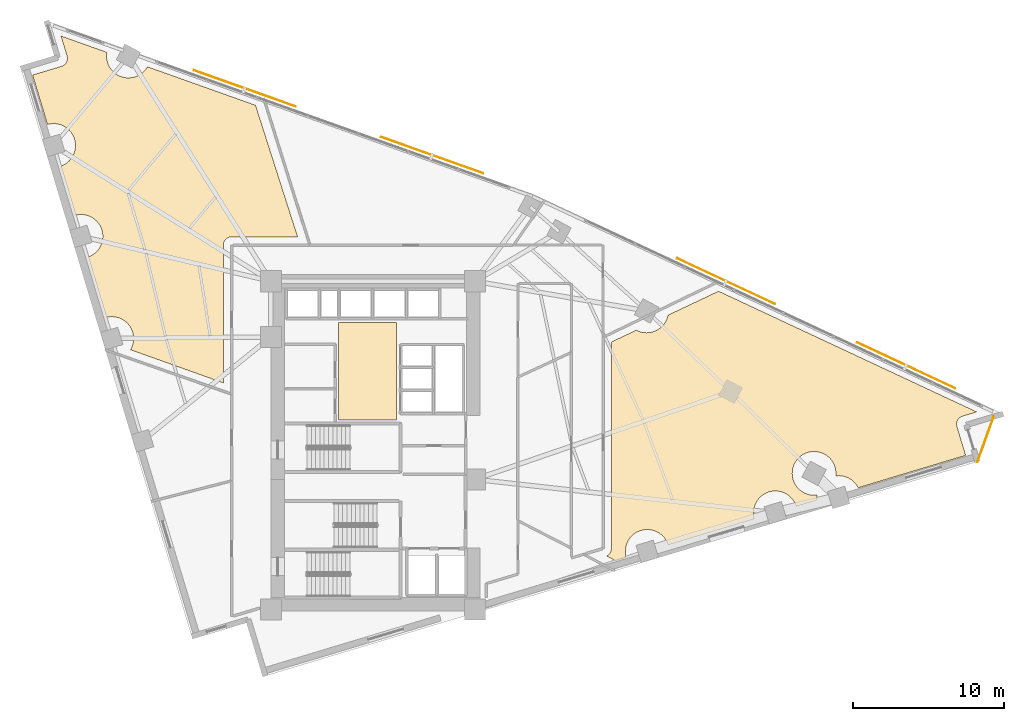
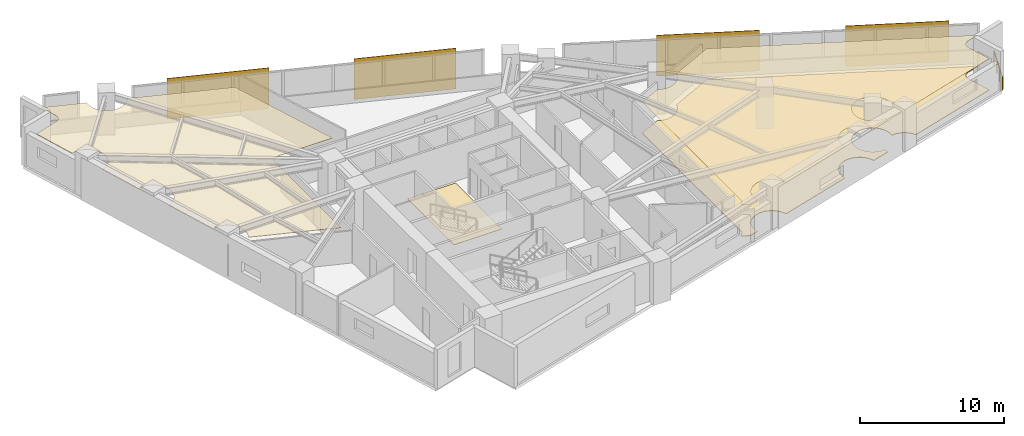
# One storey, part 16 of 16: 4 coverings, 4 shading devices, 1 railing.
"""IFC4 building model written with IfcOpenShell, lengths in metres."""

import ifcopenshell
import ifcopenshell.guid

model = None  # the IFC model being written
_history = None  # IfcOwnerHistory: only IFC2X3 demands one
_inside = {}  # id of a spatial element -> (the spatial element, [elements in it])
_under = {}  # id of a project, library or spatial element -> (it, [spatial elements below it])
_declared = {}  # id of a project -> (the project, [libraries it declares])
_typed = {}  # id of a type object -> (the type object, [elements of that type])
_made_of = {}  # id of a material, layer set ... -> (it, [elements and type objects made of it])


def new_model(schema):
    """Start an empty IFC model of exactly this schema.

    Asked for "IFC4X3", IfcOpenShell would pick the latest addendum, in which some entities
    have other attributes; the version numbers below select the first issue.
    IFC2X3 requires an IfcOwnerHistory on every rooted entity: one is made here for all.
    """
    global model, _history
    if schema == "IFC4X3":
        model = ifcopenshell.file(schema_version=(4, 3, 0, 0))
    else:
        model = ifcopenshell.file(schema=schema)
    _inside.clear()
    _under.clear()
    _declared.clear()
    _typed.clear()
    _made_of.clear()
    _history = None
    if model.schema == "IFC2X3":
        org = make("IfcOrganization", Name="unknown")
        user = make(
            "IfcPersonAndOrganization",
            ThePerson=make("IfcPerson", FamilyName="unknown"),
            TheOrganization=org,
        )
        app = make(
            "IfcApplication",
            ApplicationDeveloper=org,
            Version="unknown",
            ApplicationFullName="unknown",
            ApplicationIdentifier="unknown",
        )
        _history = make(
            "IfcOwnerHistory",
            OwningUser=user,
            OwningApplication=app,
            ChangeAction="ADDED",
            CreationDate=0,
        )
    return model


def make(cls, **values):
    """One entity of the class cls with the attributes given. An attribute that is None is left unset."""
    return model.create_entity(
        cls, **{name: value for name, value in values.items() if value is not None}
    )


def rooted(cls, **values):
    """An entity with a GlobalId (a new one), such as an element, a storey or a relation."""
    return make(cls, GlobalId=ifcopenshell.guid.new(), OwnerHistory=_history, **values)


def si_unit(unit_type, name, prefix=None):
    """IfcSIUnit, for example si_unit("LENGTHUNIT", "METRE", prefix="MILLI")."""
    return make("IfcSIUnit", UnitType=unit_type, Prefix=prefix, Name=name)


def assignment(units):
    """IfcUnitAssignment: the units of a project."""
    return None if units is None else make("IfcUnitAssignment", Units=units)


def point(xyz):
    """IfcCartesianPoint."""
    return None if xyz is None else make("IfcCartesianPoint", Coordinates=xyz)


def direction(xyz):
    """IfcDirection."""
    return None if xyz is None else make("IfcDirection", DirectionRatios=xyz)


def frame(location, z_axis=None, x_axis=None):
    """IfcAxis2Placement3D, a coordinate frame: its origin and axes. An axis left out is left unset."""
    return make(
        "IfcAxis2Placement3D",
        Location=point(location),
        Axis=direction(z_axis),
        RefDirection=direction(x_axis),
    )


def frame_2d(location, x_axis=None):
    """IfcAxis2Placement2D, a coordinate frame in the plane: its origin and x axis."""
    return make(
        "IfcAxis2Placement2D", Location=point(location), RefDirection=direction(x_axis)
    )


def origin():
    """The frame at (0, 0, 0) with its axes left unset."""
    return frame((0.0, 0.0, 0.0))


def origin_2d():
    """The frame at (0, 0) in the plane with its x axis left unset."""
    return frame_2d((0.0, 0.0))


def place(relative_to, where):
    """IfcLocalPlacement: puts the frame where relative to a parent placement (None: the world)."""
    return make(
        "IfcLocalPlacement", PlacementRelTo=relative_to, RelativePlacement=where
    )


def context(
    kind, dimensions, precision=None, world=None, true_north=None, identifier=None
):
    """IfcGeometricRepresentationContext, for example the 3D "Model" context."""
    return make(
        "IfcGeometricRepresentationContext",
        ContextIdentifier=identifier,
        ContextType=kind,
        CoordinateSpaceDimension=dimensions,
        Precision=precision,
        WorldCoordinateSystem=world,
        TrueNorth=true_north,
    )


def subcontext(parent, identifier, kind, view, scale=None):
    """IfcGeometricRepresentationSubContext, for example "Body" below "Model"."""
    return make(
        "IfcGeometricRepresentationSubContext",
        ContextIdentifier=identifier,
        ContextType=kind,
        ParentContext=parent,
        TargetScale=scale,
        TargetView=view,
    )


def project(units=None, contexts=None):
    """IfcProject with its units and contexts."""
    return rooted(
        "IfcProject",
        Name="project",
        RepresentationContexts=contexts,
        UnitsInContext=assignment(units),
    )


def spatial(cls, under=None, at=None, **own):
    """A site, building, storey or space (cls), placed at a placement, below another one or the project."""
    s = rooted(cls, ObjectPlacement=at, **own)
    if under is not None:
        _under.setdefault(under.id(), (under, []))[1].append(s)
    return s


def polyline(points):
    """IfcPolyline through the points."""
    return make("IfcPolyline", Points=[point(p) for p in points])


def profile(cls, at=None, kind="AREA", **sizes):
    """A parametric profile (cls). Its sizes go by their IFC names, for example OverallWidth=200.0."""
    return make(cls, ProfileType=kind, Position=at, **sizes)


def rectangle(**sizes):
    """IfcRectangleProfileDef."""
    return profile("IfcRectangleProfileDef", **sizes)


def circle(**sizes):
    """IfcCircleProfileDef."""
    return profile("IfcCircleProfileDef", **sizes)


def outline(outer, holes=None, kind="AREA"):
    """IfcArbitraryClosedProfileDef: a profile drawn as a closed curve; with holes, ...WithVoids."""
    if holes is None:
        return make("IfcArbitraryClosedProfileDef", ProfileType=kind, OuterCurve=outer)
    return make(
        "IfcArbitraryProfileDefWithVoids",
        ProfileType=kind,
        OuterCurve=outer,
        InnerCurves=holes,
    )


def extrude(swept, where, along, depth):
    """IfcExtrudedAreaSolid: the profile swept, set in the frame where, extruded along a direction by depth."""
    return make(
        "IfcExtrudedAreaSolid",
        SweptArea=swept,
        Position=where,
        ExtrudedDirection=direction(along),
        Depth=depth,
    )


def shape(context_of_items, identifier, shape_type, items):
    """IfcShapeRepresentation: the items that make up one representation, for example the "Body"."""
    return make(
        "IfcShapeRepresentation",
        ContextOfItems=context_of_items,
        RepresentationIdentifier=identifier,
        RepresentationType=shape_type,
        Items=items,
    )


def material(Name=None, Category=None):
    """IfcMaterial."""
    return make("IfcMaterial", Name=Name, Category=Category)


def layer(
    of_material, thickness, ventilated=None, Name=None, Category=None, Priority=None
):
    """IfcMaterialLayer: one layer of a wall or slab, of a material (None: an air gap)."""
    return make(
        "IfcMaterialLayer",
        Material=of_material,
        LayerThickness=thickness,
        IsVentilated=ventilated,
        Name=Name,
        Category=Category,
        Priority=Priority,
    )


def layer_set(layers, Name=None):
    """IfcMaterialLayerSet."""
    return make("IfcMaterialLayerSet", MaterialLayers=layers, LayerSetName=Name)


def made_of(thing, what):
    """Note that an element or type object is made of a material, layer set ...; save() writes the relation."""
    if what is not None:
        _made_of.setdefault(what.id(), (what, []))[1].append(thing)
    return thing


def type_object(cls, material=None, **own):
    """A type object (cls), such as IfcWallType, which elements share."""
    return made_of(rooted(cls, **own), material)


def element(
    cls,
    number,
    at=None,
    inside=None,
    cuts=None,
    type_object=None,
    material=None,
    context=None,
    identifier="Body",
    shape_type=None,
    held_by="IfcProductDefinitionShape",
    body=None,
    shapes=None,
    **own,
):
    """One element of the class cls, such as IfcWall. Its Tag is "e" and its number.

    at: its placement. inside: the storey or other place that contains it. cuts: it is an
    opening in that element (IfcRelVoidsElement). A single representation is given by context,
    identifier, shape_type and body (its items); several are given by shapes. held_by: the class
    of the entity that holds the representations. save() writes the other relations.
    """
    e = rooted(cls, Tag="e%d" % number, ObjectPlacement=at, **own)
    if body is not None:
        shapes = [shape(context, identifier, shape_type, body)]
    if shapes is not None:
        e.Representation = make(held_by, Representations=shapes)
    if inside is not None:
        _inside.setdefault(inside.id(), (inside, []))[1].append(e)
    if cuts is not None:
        rooted(
            "IfcRelVoidsElement", RelatingBuildingElement=cuts, RelatedOpeningElement=e
        )
    if type_object is not None:
        _typed.setdefault(type_object.id(), (type_object, []))[1].append(e)
    return made_of(e, material)


def aggregate(whole, parts):
    """IfcRelAggregates: a whole, such as a stair, and the parts it consists of."""
    return rooted("IfcRelAggregates", RelatingObject=whole, RelatedObjects=parts)


def save(model, path):
    """Write the relations noted so far, then the file.

    IfcRelAggregates (storeys below a building ...), IfcRelContainedInSpatialStructure (elements
    in a storey), IfcRelDefinesByType, IfcRelAssociatesMaterial and IfcRelDeclares: one each for
    every whole, place, type object, material and project.
    """
    for whole, parts in _under.values():
        aggregate(whole, parts)
    for where, things in _inside.values():
        rooted(
            "IfcRelContainedInSpatialStructure",
            RelatedElements=things,
            RelatingStructure=where,
        )
    for kind, things in _typed.values():
        rooted("IfcRelDefinesByType", RelatedObjects=things, RelatingType=kind)
    for what, things in _made_of.values():
        rooted("IfcRelAssociatesMaterial", RelatedObjects=things, RelatingMaterial=what)
    for by, libraries in _declared.values():
        rooted("IfcRelDeclares", RelatingContext=by, RelatedDefinitions=libraries)
    model.write(path)


model = new_model("IFC4")

# Units and contexts
model_context = context("Model", 3, precision=1e-05, world=origin(), true_north=direction((0.0, 1.0)))
body_context = subcontext(model_context, "Body", "Model", "MODEL_VIEW")
ifc_project = project(units=[si_unit("LENGTHUNIT", "METRE"), si_unit("AREAUNIT", "SQUARE_METRE"), si_unit("VOLUMEUNIT", "CUBIC_METRE"), si_unit("PLANEANGLEUNIT", "RADIAN"), si_unit("MASSUNIT", "GRAM", prefix="KILO")], contexts=[model_context])

# Site, building, storey
site_placement = place(None, origin())
site = spatial("IfcSite", under=ifc_project, at=site_placement, CompositionType="ELEMENT")
building_placement = place(site_placement, origin())
building = spatial("IfcBuilding", under=site, at=building_placement, Name="Narakoshi Arena Tower", CompositionType="ELEMENT")
storey_placement = place(building_placement, frame((0.0, 0.0, 146.699951171875)))
storey = spatial("IfcBuildingStorey", under=building, at=storey_placement, Name="L39", CompositionType="ELEMENT", Elevation=146.699951171875)

# Coverings
ifc_material_1 = material(Name="Acoustic mineral-fibre ceiling tile")
ifc_layer_1 = layer(ifc_material_1, 0.02001953125)
ifc_layer_set_1 = layer_set([ifc_layer_1], Name="Acoustic mineral-fibre ceiling tile")
covering_type_1 = type_object("IfcCoveringType", Name="COV-CLG-AC20", PredefinedType="CEILING", material=ifc_layer_set_1)
covering_1_placement = place(storey_placement, frame((0.0, 0.0, 2.670166015625)))
element("IfcCovering", 1, at=covering_1_placement, inside=storey, type_object=covering_type_1, Name="L39 Suspended Acoustic Ceiling 1", PredefinedType="CEILING", context=body_context, shape_type="SweptSolid", body=[
    extrude(outline(polyline([(94.308349609375, 38.272216796875), (94.354736328125, 38.2998046875), (94.398193359375, 38.331787109375), (94.4384765625, 38.3681640625), (94.474609375, 38.408203125), (94.507080078125, 38.45166015625), (94.534912109375, 38.497802734375), (94.55810546875, 38.546875), (94.576171875, 38.59765625), (94.58935546875, 38.650146484375), (94.597412109375, 38.70361328125), (94.60009765625, 38.757568359375), (94.60009765625, 52.463623046875), (96.259765625, 53.25), (96.260986328125, 53.249267578125), (96.389404296875, 53.1884765625), (96.5234375, 53.140380859375), (96.66162109375, 53.10595703125), (96.80224609375, 53.085205078125), (96.9443359375, 53.078125), (97.08642578125, 53.085205078125), (97.227294921875, 53.10595703125), (97.365234375, 53.140380859375), (97.499267578125, 53.1884765625), (97.6279296875, 53.249267578125), (97.75, 53.322509765625), (97.8642578125, 53.4072265625), (97.9697265625, 53.502685546875), (98.065185546875, 53.608154296875), (98.14990234375, 53.722412109375), (98.22314453125, 53.844482421875), (98.283935546875, 53.97314453125), (98.33203125, 54.107177734375), (98.366455078125, 54.2451171875), (98.366943359375, 54.248291015625), (101.718994140625, 55.83642578125), (118.8564453125, 47.823974609375), (117.9150390625, 47.540771484375), (117.8642578125, 47.522705078125), (117.8154296875, 47.499755859375), (117.76904296875, 47.47216796875), (117.7255859375, 47.43994140625), (117.685546875, 47.40380859375), (117.649169921875, 47.364013671875), (117.616943359375, 47.32080078125), (117.589111328125, 47.2744140625), (117.56591796875, 47.2255859375), (117.547607421875, 47.1748046875), (117.534423828125, 47.12255859375), (117.5263671875, 47.069091796875), (117.523681640625, 47.015380859375), (117.526123046875, 46.96142578125), (117.533935546875, 46.907958984375), (117.546875, 46.855712890625), (118.1240234375, 44.93798828125), (110.98681640625, 42.789794921875), (110.971435546875, 42.82275390625), (110.898193359375, 42.94482421875), (110.8134765625, 43.05908203125), (110.718017578125, 43.16455078125), (110.612548828125, 43.260009765625), (110.498291015625, 43.3447265625), (110.376220703125, 43.41796875), (110.24755859375, 43.478759765625), (110.113525390625, 43.52685546875), (109.9755859375, 43.561279296875), (109.834716796875, 43.582275390625), (109.692626953125, 43.589111328125), (109.550537109375, 43.582275390625), (109.5, 43.57470703125), (109.504150390625, 43.603515625), (109.51123046875, 43.74560546875), (109.504150390625, 43.8876953125), (109.4833984375, 44.0283203125), (109.44873046875, 44.16650390625), (109.40087890625, 44.30029296875), (109.340087890625, 44.428955078125), (109.266845703125, 44.551025390625), (109.18212890625, 44.665283203125), (109.08642578125, 44.770751953125), (108.981201171875, 44.866455078125), (108.86669921875, 44.951171875), (108.74462890625, 45.0244140625), (108.6162109375, 45.085205078125), (108.482177734375, 45.133056640625), (108.343994140625, 45.16748046875), (108.203369140625, 45.1884765625), (108.061279296875, 45.195556640625), (107.919189453125, 45.1884765625), (107.7783203125, 45.16748046875), (107.640380859375, 45.133056640625), (107.50634765625, 45.085205078125), (107.377685546875, 45.0244140625), (107.255615234375, 44.951171875), (107.141357421875, 44.866455078125), (107.035888671875, 44.770751953125), (106.940185546875, 44.665283203125), (106.855712890625, 44.551025390625), (106.782470703125, 44.428955078125), (106.7216796875, 44.30029296875), (106.673583984375, 44.16650390625), (106.63916015625, 44.0283203125), (106.6181640625, 43.8876953125), (106.611083984375, 43.74560546875), (106.6181640625, 43.603515625), (106.63916015625, 43.462646484375), (106.673583984375, 43.32470703125), (106.7216796875, 43.190673828125), (106.782470703125, 43.06201171875), (106.855712890625, 42.93994140625), (106.940185546875, 42.82568359375), (107.035888671875, 42.72021484375), (107.141357421875, 42.62451171875), (107.255615234375, 42.539794921875), (107.377685546875, 42.466796875), (107.50634765625, 42.406005859375), (107.640380859375, 42.35791015625), (107.7783203125, 42.323486328125), (107.919189453125, 42.302490234375), (108.061279296875, 42.29541015625), (108.203369140625, 42.302490234375), (108.25390625, 42.31005859375), (108.24951171875, 42.28125), (108.24267578125, 42.13916015625), (108.24951171875, 41.9970703125), (108.25390625, 41.96728515625), (106.87890625, 41.553466796875), (106.833251953125, 41.680908203125), (106.7724609375, 41.8095703125), (106.69921875, 41.931640625), (106.614501953125, 42.0458984375), (106.51904296875, 42.1513671875), (106.41357421875, 42.2470703125), (106.29931640625, 42.331787109375), (106.17724609375, 42.40478515625), (106.048583984375, 42.4658203125), (105.91455078125, 42.513671875), (105.776611328125, 42.548095703125), (105.6357421875, 42.569091796875), (105.49365234375, 42.576171875), (105.3515625, 42.569091796875), (105.210693359375, 42.548095703125), (105.07275390625, 42.513671875), (104.938720703125, 42.4658203125), (104.810302734375, 42.40478515625), (104.68798828125, 42.331787109375), (104.57373046875, 42.2470703125), (104.468505859375, 42.1513671875), (104.372802734375, 42.0458984375), (104.2880859375, 41.931640625), (104.21484375, 41.8095703125), (104.154052734375, 41.680908203125), (104.106201171875, 41.547119140625), (104.071533203125, 41.408935546875), (104.05078125, 41.268310546875), (104.043701171875, 41.126220703125), (104.05078125, 40.98388671875), (104.071533203125, 40.84326171875), (104.102783203125, 40.718017578125), (98.369873046875, 38.992431640625), (98.32421875, 39.1201171875), (98.26318359375, 39.248779296875), (98.190185546875, 39.370849609375), (98.10546875, 39.485107421875), (98.009765625, 39.590576171875), (97.904296875, 39.68603515625), (97.7900390625, 39.770751953125), (97.66796875, 39.843994140625), (97.539306640625, 39.90478515625), (97.405517578125, 39.952880859375), (97.267333984375, 39.9873046875), (97.126708984375, 40.00830078125), (96.984619140625, 40.01513671875), (96.84228515625, 40.00830078125), (96.70166015625, 39.9873046875), (96.563720703125, 39.952880859375), (96.4296875, 39.90478515625), (96.301025390625, 39.843994140625), (96.178955078125, 39.770751953125), (96.064697265625, 39.68603515625), (95.959228515625, 39.590576171875), (95.863525390625, 39.485107421875), (95.77880859375, 39.370849609375), (95.705810546875, 39.248779296875), (95.64501953125, 39.1201171875), (95.596923828125, 38.986083984375), (95.5625, 38.84814453125), (95.54150390625, 38.707275390625), (95.534423828125, 38.565185546875), (95.54150390625, 38.423095703125), (95.5625, 38.2822265625), (95.59375, 38.156982421875), (94.89013671875, 37.9453125), (94.28076171875, 38.259033203125), (94.308349609375, 38.272216796875)])), origin(), (0.0, 0.0, 1.0), 0.019775390625),
])
ifc_material_2 = material(Name="Slatted oak acoustic timber baffle", Category="wood")
ifc_layer_2 = layer(ifc_material_2, 0.034912109375)
ifc_layer_set_2 = layer_set([ifc_layer_2], Name="Slatted oak acoustic timber baffle")
covering_type_2 = type_object("IfcCoveringType", Name="COV-CLG-WD35", PredefinedType="CEILING", material=ifc_layer_set_2)
covering_2_placement = place(storey_placement, frame((0.0, 0.0, 2.655029296875)))
element("IfcCovering", 2, at=covering_2_placement, inside=storey, type_object=covering_type_2, Name="L39 Suspended Acoustic Ceiling 2", PredefinedType="CEILING", context=body_context, shape_type="SweptSolid", body=[
    extrude(outline(polyline([(58.1015625, 70.76611328125), (58.15234375, 70.7841796875), (58.201171875, 70.80712890625), (58.24755859375, 70.834716796875), (58.291015625, 70.86669921875), (58.3310546875, 70.903076171875), (58.367431640625, 70.94287109375), (58.399658203125, 70.986083984375), (58.427490234375, 71.032470703125), (58.45068359375, 71.0810546875), (58.468994140625, 71.1318359375), (58.482177734375, 71.18408203125), (58.490234375, 71.237548828125), (58.492919921875, 71.29150390625), (58.490478515625, 71.345458984375), (58.482666015625, 71.398681640625), (58.4697265625, 71.451171875), (58.070068359375, 72.77880859375), (61.1171875, 71.693603515625), (61.102294921875, 71.59228515625), (61.09521484375, 71.4501953125), (61.102294921875, 71.30810546875), (61.123046875, 71.16748046875), (61.15771484375, 71.029296875), (61.20556640625, 70.8955078125), (61.266357421875, 70.766845703125), (61.339599609375, 70.644775390625), (61.42431640625, 70.530517578125), (61.52001953125, 70.425048828125), (61.625244140625, 70.329345703125), (61.739501953125, 70.24462890625), (61.86181640625, 70.17138671875), (61.990234375, 70.110595703125), (62.124267578125, 70.062744140625), (62.26220703125, 70.0283203125), (62.403076171875, 70.00732421875), (62.545166015625, 70.000244140625), (62.687255859375, 70.00732421875), (62.828125, 70.0283203125), (62.966064453125, 70.062744140625), (63.10009765625, 70.110595703125), (63.228759765625, 70.17138671875), (63.350830078125, 70.24462890625), (63.465087890625, 70.329345703125), (63.570556640625, 70.425048828125), (63.666015625, 70.530517578125), (63.750732421875, 70.644775390625), (63.8056640625, 70.736083984375), (70.98193359375, 68.18017578125), (73.776611328125, 59.449951171875), (69.39990234375, 59.449951171875), (69.34619140625, 59.447509765625), (69.292724609375, 59.439453125), (69.240234375, 59.42626953125), (69.189453125, 59.408203125), (69.140625, 59.385009765625), (69.094482421875, 59.357421875), (69.051025390625, 59.3251953125), (69.010986328125, 59.288818359375), (68.974853515625, 59.248779296875), (68.942626953125, 59.20556640625), (68.914794921875, 59.1591796875), (68.891845703125, 59.110595703125), (68.873779296875, 59.059814453125), (68.860595703125, 59.00732421875), (68.8525390625, 58.953857421875), (68.85009765625, 58.89990234375), (68.85009765625, 49.74951171875), (62.6806640625, 51.952392578125), (62.716796875, 52.012939453125), (62.777587890625, 52.1416015625), (62.82568359375, 52.275390625), (62.860107421875, 52.41357421875), (62.881103515625, 52.55419921875), (62.887939453125, 52.6962890625), (62.881103515625, 52.83837890625), (62.860107421875, 52.979248046875), (62.82568359375, 53.1171875), (62.777587890625, 53.251220703125), (62.716796875, 53.3798828125), (62.6435546875, 53.501953125), (62.558837890625, 53.6162109375), (62.46337890625, 53.7216796875), (62.35791015625, 53.8173828125), (62.24365234375, 53.902099609375), (62.12158203125, 53.97509765625), (61.992919921875, 54.035888671875), (61.85888671875, 54.083984375), (61.720947265625, 54.118408203125), (61.580078125, 54.139404296875), (61.43798828125, 54.146484375), (61.2958984375, 54.139404296875), (61.155029296875, 54.118408203125), (61.02978515625, 54.087158203125), (59.823486328125, 58.095947265625), (59.950927734375, 58.1416015625), (60.07958984375, 58.202392578125), (60.20166015625, 58.275634765625), (60.31591796875, 58.3603515625), (60.42138671875, 58.455810546875), (60.516845703125, 58.561279296875), (60.6015625, 58.675537109375), (60.6748046875, 58.797607421875), (60.735595703125, 58.92626953125), (60.78369140625, 59.060302734375), (60.818115234375, 59.1982421875), (60.839111328125, 59.339111328125), (60.845947265625, 59.481201171875), (60.839111328125, 59.623291015625), (60.818115234375, 59.76416015625), (60.78369140625, 59.902099609375), (60.735595703125, 60.0361328125), (60.6748046875, 60.164794921875), (60.6015625, 60.286865234375), (60.516845703125, 60.401123046875), (60.42138671875, 60.506591796875), (60.31591796875, 60.60205078125), (60.20166015625, 60.686767578125), (60.07958984375, 60.760009765625), (59.950927734375, 60.82080078125), (59.81689453125, 60.868896484375), (59.678955078125, 60.9033203125), (59.5380859375, 60.92431640625), (59.39599609375, 60.93115234375), (59.25390625, 60.92431640625), (59.113037109375, 60.9033203125), (58.98779296875, 60.8720703125), (58.00830078125, 64.126953125), (58.1357421875, 64.172607421875), (58.264404296875, 64.2333984375), (58.386474609375, 64.306396484375), (58.500732421875, 64.39111328125), (58.606201171875, 64.48681640625), (58.701904296875, 64.59228515625), (58.78662109375, 64.70654296875), (58.859619140625, 64.82861328125), (58.92041015625, 64.957275390625), (58.968505859375, 65.09130859375), (59.0029296875, 65.229248046875), (59.02392578125, 65.3701171875), (59.031005859375, 65.51220703125), (59.02392578125, 65.654296875), (59.0029296875, 65.794921875), (58.968505859375, 65.93310546875), (58.92041015625, 66.06689453125), (58.859619140625, 66.195556640625), (58.78662109375, 66.317626953125), (58.701904296875, 66.431884765625), (58.606201171875, 66.537353515625), (58.500732421875, 66.633056640625), (58.386474609375, 66.7177734375), (58.264404296875, 66.791015625), (58.1357421875, 66.851806640625), (58.001708984375, 66.899658203125), (57.86376953125, 66.93408203125), (57.722900390625, 66.955078125), (57.580810546875, 66.962158203125), (57.438720703125, 66.955078125), (57.298095703125, 66.93408203125), (57.1728515625, 66.90283203125), (56.183837890625, 70.18896484375), (58.1015625, 70.76611328125)])), origin(), (0.0, 0.0, 1.0), 0.034912109375),
])
ifc_material_3 = material(Name="Raised steel access floor panel", Category="steel")
ifc_layer_3 = layer(ifc_material_3, 0.044921875)
ifc_layer_set_3 = layer_set([ifc_layer_3], Name="Raised steel access floor panel")
covering_type_3 = type_object("IfcCoveringType", Name="COV-FLR-RF45", PredefinedType="FLOORING", material=ifc_layer_set_3)
covering_3_placement = place(storey_placement, origin())
element("IfcCovering", 3, at=covering_3_placement, inside=storey, type_object=covering_type_3, Name="L39 Raised Steel Access Floor", PredefinedType="FLOORING", context=body_context, shape_type="SweptSolid", body=[
    extrude(outline(polyline([(94.308349609375, 38.272216796875), (94.354736328125, 38.2998046875), (94.398193359375, 38.331787109375), (94.4384765625, 38.3681640625), (94.474609375, 38.408203125), (94.507080078125, 38.45166015625), (94.534912109375, 38.497802734375), (94.55810546875, 38.546875), (94.576171875, 38.59765625), (94.58935546875, 38.650146484375), (94.597412109375, 38.70361328125), (94.60009765625, 38.757568359375), (94.60009765625, 52.463623046875), (96.259765625, 53.25), (96.260986328125, 53.249267578125), (96.389404296875, 53.1884765625), (96.5234375, 53.140380859375), (96.66162109375, 53.10595703125), (96.80224609375, 53.085205078125), (96.9443359375, 53.078125), (97.08642578125, 53.085205078125), (97.227294921875, 53.10595703125), (97.365234375, 53.140380859375), (97.499267578125, 53.1884765625), (97.6279296875, 53.249267578125), (97.75, 53.322509765625), (97.8642578125, 53.4072265625), (97.9697265625, 53.502685546875), (98.065185546875, 53.608154296875), (98.14990234375, 53.722412109375), (98.22314453125, 53.844482421875), (98.283935546875, 53.97314453125), (98.33203125, 54.107177734375), (98.366455078125, 54.2451171875), (98.366943359375, 54.248291015625), (101.718994140625, 55.83642578125), (118.8564453125, 47.823974609375), (117.9150390625, 47.540771484375), (117.8642578125, 47.522705078125), (117.8154296875, 47.499755859375), (117.76904296875, 47.47216796875), (117.7255859375, 47.43994140625), (117.685546875, 47.40380859375), (117.649169921875, 47.364013671875), (117.616943359375, 47.32080078125), (117.589111328125, 47.2744140625), (117.56591796875, 47.2255859375), (117.547607421875, 47.1748046875), (117.534423828125, 47.12255859375), (117.5263671875, 47.069091796875), (117.523681640625, 47.015380859375), (117.526123046875, 46.96142578125), (117.533935546875, 46.907958984375), (117.546875, 46.855712890625), (118.1240234375, 44.93798828125), (110.98681640625, 42.789794921875), (110.971435546875, 42.82275390625), (110.898193359375, 42.94482421875), (110.8134765625, 43.05908203125), (110.718017578125, 43.16455078125), (110.612548828125, 43.260009765625), (110.498291015625, 43.3447265625), (110.376220703125, 43.41796875), (110.24755859375, 43.478759765625), (110.113525390625, 43.52685546875), (109.9755859375, 43.561279296875), (109.834716796875, 43.582275390625), (109.692626953125, 43.589111328125), (109.550537109375, 43.582275390625), (109.5, 43.57470703125), (109.504150390625, 43.603515625), (109.51123046875, 43.74560546875), (109.504150390625, 43.8876953125), (109.4833984375, 44.0283203125), (109.44873046875, 44.16650390625), (109.40087890625, 44.30029296875), (109.340087890625, 44.428955078125), (109.266845703125, 44.551025390625), (109.18212890625, 44.665283203125), (109.08642578125, 44.770751953125), (108.981201171875, 44.866455078125), (108.86669921875, 44.951171875), (108.74462890625, 45.0244140625), (108.6162109375, 45.085205078125), (108.482177734375, 45.133056640625), (108.343994140625, 45.16748046875), (108.203369140625, 45.1884765625), (108.061279296875, 45.195556640625), (107.919189453125, 45.1884765625), (107.7783203125, 45.16748046875), (107.640380859375, 45.133056640625), (107.50634765625, 45.085205078125), (107.377685546875, 45.0244140625), (107.255615234375, 44.951171875), (107.141357421875, 44.866455078125), (107.035888671875, 44.770751953125), (106.940185546875, 44.665283203125), (106.855712890625, 44.551025390625), (106.782470703125, 44.428955078125), (106.7216796875, 44.30029296875), (106.673583984375, 44.16650390625), (106.63916015625, 44.0283203125), (106.6181640625, 43.8876953125), (106.611083984375, 43.74560546875), (106.6181640625, 43.603515625), (106.63916015625, 43.462646484375), (106.673583984375, 43.32470703125), (106.7216796875, 43.190673828125), (106.782470703125, 43.06201171875), (106.855712890625, 42.93994140625), (106.940185546875, 42.82568359375), (107.035888671875, 42.72021484375), (107.141357421875, 42.62451171875), (107.255615234375, 42.539794921875), (107.377685546875, 42.466796875), (107.50634765625, 42.406005859375), (107.640380859375, 42.35791015625), (107.7783203125, 42.323486328125), (107.919189453125, 42.302490234375), (108.061279296875, 42.29541015625), (108.203369140625, 42.302490234375), (108.25390625, 42.31005859375), (108.24951171875, 42.28125), (108.24267578125, 42.13916015625), (108.24951171875, 41.9970703125), (108.25390625, 41.96728515625), (106.87890625, 41.553466796875), (106.833251953125, 41.680908203125), (106.7724609375, 41.8095703125), (106.69921875, 41.931640625), (106.614501953125, 42.0458984375), (106.51904296875, 42.1513671875), (106.41357421875, 42.2470703125), (106.29931640625, 42.331787109375), (106.17724609375, 42.40478515625), (106.048583984375, 42.4658203125), (105.91455078125, 42.513671875), (105.776611328125, 42.548095703125), (105.6357421875, 42.569091796875), (105.49365234375, 42.576171875), (105.3515625, 42.569091796875), (105.210693359375, 42.548095703125), (105.07275390625, 42.513671875), (104.938720703125, 42.4658203125), (104.810302734375, 42.40478515625), (104.68798828125, 42.331787109375), (104.57373046875, 42.2470703125), (104.468505859375, 42.1513671875), (104.372802734375, 42.0458984375), (104.2880859375, 41.931640625), (104.21484375, 41.8095703125), (104.154052734375, 41.680908203125), (104.106201171875, 41.547119140625), (104.071533203125, 41.408935546875), (104.05078125, 41.268310546875), (104.043701171875, 41.126220703125), (104.05078125, 40.98388671875), (104.071533203125, 40.84326171875), (104.102783203125, 40.718017578125), (98.369873046875, 38.992431640625), (98.32421875, 39.1201171875), (98.26318359375, 39.248779296875), (98.190185546875, 39.370849609375), (98.10546875, 39.485107421875), (98.009765625, 39.590576171875), (97.904296875, 39.68603515625), (97.7900390625, 39.770751953125), (97.66796875, 39.843994140625), (97.539306640625, 39.90478515625), (97.405517578125, 39.952880859375), (97.267333984375, 39.9873046875), (97.126708984375, 40.00830078125), (96.984619140625, 40.01513671875), (96.84228515625, 40.00830078125), (96.70166015625, 39.9873046875), (96.563720703125, 39.952880859375), (96.4296875, 39.90478515625), (96.301025390625, 39.843994140625), (96.178955078125, 39.770751953125), (96.064697265625, 39.68603515625), (95.959228515625, 39.590576171875), (95.863525390625, 39.485107421875), (95.77880859375, 39.370849609375), (95.705810546875, 39.248779296875), (95.64501953125, 39.1201171875), (95.596923828125, 38.986083984375), (95.5625, 38.84814453125), (95.54150390625, 38.707275390625), (95.534423828125, 38.565185546875), (95.54150390625, 38.423095703125), (95.5625, 38.2822265625), (95.59375, 38.156982421875), (94.89013671875, 37.9453125), (94.28076171875, 38.259033203125), (94.308349609375, 38.272216796875)])), origin(), (0.0, 0.0, 1.0), 0.045166015625),
])
ifc_material_4 = material(Name="Honed granite stone paving", Category="masonry")
ifc_layer_4 = layer(ifc_material_4, 0.030029296875)
ifc_layer_set_4 = layer_set([ifc_layer_4], Name="Honed granite stone paving")
covering_type_4 = type_object("IfcCoveringType", Name="COV-FLR-ST30", PredefinedType="FLOORING", material=ifc_layer_set_4)
covering_4_placement = place(storey_placement, origin())
element("IfcCovering", 4, at=covering_4_placement, inside=storey, type_object=covering_type_4, Name="L39 Lift Lobby Granite Flooring", PredefinedType="FLOORING", context=body_context, shape_type="SweptSolid", body=[
    extrude(outline(polyline([(76.5, 47.300048828125), (80.35009765625, 47.300048828125), (80.35009765625, 53.75), (76.5, 53.75), (76.5, 47.300048828125)])), origin(), (0.0, 0.0, 1.0), 0.030029296875),
])

# Railing
ifc_material_5 = material(Name="Brushed bronze stainless steel", Category="steel")
railing_type = type_object("IfcRailingType", Name="RL-GRD-1150", PredefinedType="GUARDRAIL", material=ifc_material_5)
railing_placement = place(storey_placement, frame((118.908935546875, 44.51611328125, 0.0)))
element("IfcRailing", 5, at=railing_placement, inside=storey, type_object=railing_type, Name="L39 Corner Loggia Balcony Guardrail", PredefinedType="GUARDRAIL", context=body_context, shape_type="SweptSolid", body=[
    extrude(circle(Radius=0.02392578125, at=origin_2d()), frame((0.0, 0.0, 1.1259765625), z_axis=(0.337962541508, 0.941159561678, 0.0), x_axis=(-0.941159561678, 0.337962541508, 0.0)), (0.0, 0.0, 1.0), 3.175537109375),
    extrude(circle(Radius=0.02099609375, at=origin_2d()), origin(), (0.0, 0.0, 1.0), 1.101806640625),
    extrude(circle(Radius=0.02099609375, at=origin_2d()), frame((0.357666015625, 0.996337890625, 0.0)), (0.0, 0.0, 1.0), 1.101806640625),
    extrude(circle(Radius=0.02099609375, at=origin_2d()), frame((0.715576171875, 1.992431640625, 0.0)), (0.0, 0.0, 1.0), 1.101806640625),
    extrude(circle(Radius=0.02099609375, at=origin_2d()), frame((1.0732421875, 2.98876953125, 0.0)), (0.0, 0.0, 1.0), 1.101806640625),
])

# Shading devices
ifc_material_6 = material(Name="Perforated bronze ceramic-metal composite")
ifc_layer_5 = layer(ifc_material_6, 0.044921875)
ifc_layer_set_5 = layer_set([ifc_layer_5], Name="Perforated bronze ceramic-metal composite")
shading_device_type = type_object("IfcShadingDeviceType", Name="SHD-SCR-BRZ1", PredefinedType="USERDEFINED", material=ifc_layer_set_5)
for number, where, z_axis, x_axis, name in (
    (6, (114.172607421875, 50.910888671875, 0.0), (0.0, 0.0, 1.0), (-0.9058795101, 0.423535492234, 0.0), "L39 Perforated Bronze Solar Screen 1-1"),
    (7, (102.21484375, 56.50146484375, 0.0), (0.0, 0.0, 1.0), (-0.9058795101, 0.423535492234, 0.0), "L39 Perforated Bronze Solar Screen 1-2"),
    (8, (82.70068359375, 64.868896484375, 0.0), (0.0, 0.0, 1.0), (-0.942034031554, 0.33551733695, 0.0), "L39 Perforated Bronze Solar Screen 2-1"),
    (9, (70.265869140625, 69.297607421875, 0.0), (0.0, 0.0, 1.0), (-0.942034031554, 0.33551733695, 0.0), "L39 Perforated Bronze Solar Screen 2-2"),
):
    element("IfcShadingDevice", number, at=place(storey_placement, frame(where, z_axis=z_axis, x_axis=x_axis)), inside=storey, type_object=shading_device_type, Name=name, ObjectType="SOLAR SCREEN", PredefinedType="USERDEFINED", context=body_context, shape_type="SweptSolid", body=[
        extrude(rectangle(XDim=7.199951171875, YDim=0.044921875, at=origin_2d()), origin(), (0.0, 0.0, 1.0), 3.449951171875),
    ])

save(model, "model.ifc")
